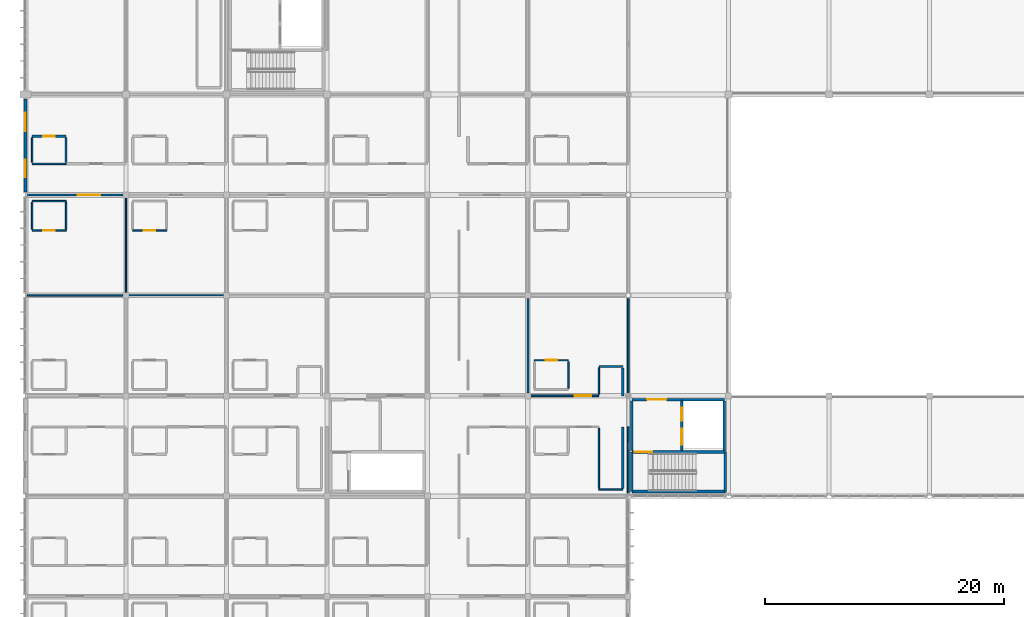
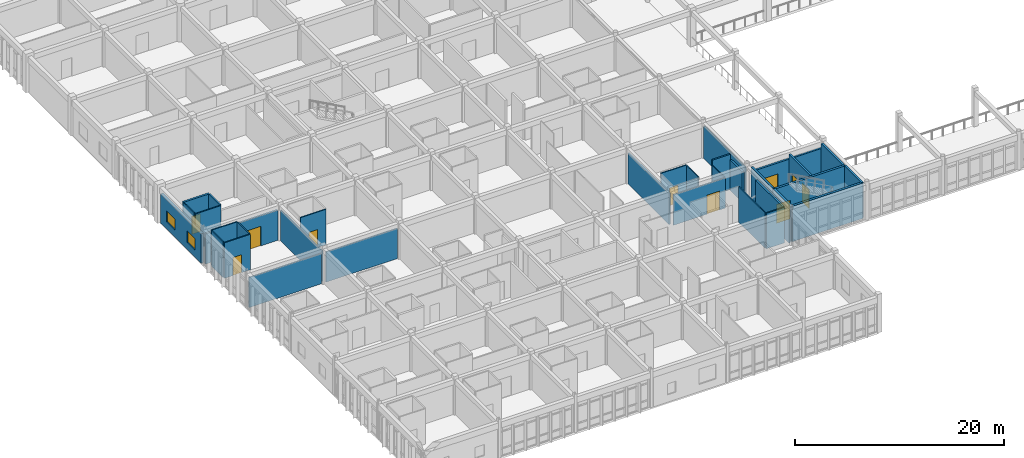
# One storey, part 99 of 144: 35 walls, 10 doors, 2 windows, 12 openings.
"""IFC4 building model written with IfcOpenShell, lengths in metres."""

from ifc_helpers import new_model, si_unit, direction, frame, frame_2d, origin, place, context, subcontext, project, spatial, rectangle, extrude, material, layer, layer_set, type_object, element, fill, save


model = new_model("IFC4")

# Units and contexts
model_context = context("Model", 3, precision=1e-05, world=origin(), true_north=direction((0.0, 1.0)))
body_context = subcontext(model_context, "Body", "Model", "MODEL_VIEW")
ifc_project = project(units=[si_unit("LENGTHUNIT", "METRE"), si_unit("AREAUNIT", "SQUARE_METRE"), si_unit("VOLUMEUNIT", "CUBIC_METRE"), si_unit("PLANEANGLEUNIT", "RADIAN"), si_unit("MASSUNIT", "GRAM", prefix="KILO")], contexts=[model_context])

# Site, building, storey
site_placement = place(None, origin())
site = spatial("IfcSite", under=ifc_project, at=site_placement, CompositionType="ELEMENT")
building_placement = place(site_placement, origin())
building = spatial("IfcBuilding", under=site, at=building_placement, Name="Bramfleet General Hospital", CompositionType="ELEMENT")
storey_placement = place(building_placement, frame((0.0, 0.0, 4.800048828125)))
storey = spatial("IfcBuildingStorey", under=building, at=storey_placement, Name="L01", CompositionType="ELEMENT", Elevation=4.800048828125)

# Wall, openings, windows
ifc_material_1 = material(Name="Precast concrete C40/50", Category="concrete")
ifc_layer_1 = layer(ifc_material_1, 0.280029296875, Name="WT-EW-06")
ifc_layer_set_1 = layer_set([ifc_layer_1], Name="Precast concrete C40/50")
wall_type_1 = type_object("IfcWallType", Name="WT-EW-06", PredefinedType="SOLIDWALL", material=ifc_layer_set_1)
wall_1_placement = place(storey_placement, frame((0.0, 42.2548828125, 0.0), z_axis=(0.0, 0.0, 1.0), x_axis=(0.0, 1.0, 0.0)))
wall_1 = element("IfcWall", 1, at=wall_1_placement, inside=storey, type_object=wall_type_1, Name="L01 Exterior Wall 193", PredefinedType="SOLIDWALL", context=body_context, shape_type="SweptSolid", body=[
    extrude(rectangle(XDim=7.77001953125, YDim=0.280029296875, at=frame_2d((3.885009765625, 0.0))), origin(), (0.0, 0.0, 1.0), 3.43994140625),
])
opening_1_placement = place(wall_1_placement, frame((1.217529296875, 0.0, 0.85009765625)))
opening_1 = element("IfcOpeningElement", 2, at=opening_1_placement, cuts=wall_1, Name="Opening W-06", PredefinedType="OPENING", context=body_context, shape_type="SweptSolid", body=[
    extrude(rectangle(XDim=1.449951171875, YDim=1.300048828125, at=frame_2d((0.72509765625, 0.64990234375))), frame((0.0, 0.14990234375, 0.0), z_axis=(0.0, -1.0, 0.0), x_axis=(1.0, 0.0, 0.0)), (0.0, 0.0, 1.0), 0.300048828125),
])
opening_2_placement = place(wall_1_placement, frame((5.052490234375, 0.0, 0.85009765625)))
opening_2 = element("IfcOpeningElement", 3, at=opening_2_placement, cuts=wall_1, Name="Opening W-07", PredefinedType="OPENING", context=body_context, shape_type="SweptSolid", body=[
    extrude(rectangle(XDim=1.550048828125, YDim=1.300048828125, at=frame_2d((0.77490234375, 0.64990234375))), frame((0.0, 0.14990234375, 0.0), z_axis=(0.0, -1.0, 0.0), x_axis=(1.0, 0.0, 0.0)), (0.0, 0.0, 1.0), 0.300048828125),
])
ifc_material_2 = material(Name="Anodised aluminium and low-E triple glazing", Category="aluminium")
window_type_1 = type_object("IfcWindowType", Name="WIN-W-06", PartitioningType="SINGLE_PANEL", PredefinedType="WINDOW", material=ifc_material_2)
window_1_placement = place(opening_1_placement, origin())
window_1 = element("IfcWindow", 4, at=window_1_placement, inside=storey, type_object=window_type_1, Name="L01 Facade Window WIN-L01-193-1", OverallHeight=1.300048828125, OverallWidth=1.449951171875, PartitioningType="SINGLE_PANEL", PredefinedType="WINDOW", context=body_context, shape_type="SweptSolid", body=[
    extrude(rectangle(XDim=1.449951171875, YDim=1.300048828125, at=frame_2d((0.72509765625, 0.64990234375))), frame((0.0, 0.030029296875, 0.0), z_axis=(0.0, -1.0, 0.0), x_axis=(1.0, 0.0, 0.0)), (0.0, 0.0, 1.0), 0.06005859375),
])
fill(opening_1, window_1)
window_type_2 = type_object("IfcWindowType", Name="WIN-W-07", PartitioningType="SINGLE_PANEL", PredefinedType="WINDOW", material=ifc_material_2)
window_2_placement = place(opening_2_placement, origin())
window_2 = element("IfcWindow", 5, at=window_2_placement, inside=storey, type_object=window_type_2, Name="L01 Facade Window WIN-L01-193-2", OverallHeight=1.300048828125, OverallWidth=1.550048828125, PartitioningType="SINGLE_PANEL", PredefinedType="WINDOW", context=body_context, shape_type="SweptSolid", body=[
    extrude(rectangle(XDim=1.550048828125, YDim=1.300048828125, at=frame_2d((0.77490234375, 0.64990234375))), frame((0.0, 0.030029296875, 0.0), z_axis=(0.0, -1.0, 0.0), x_axis=(1.0, 0.0, 0.0)), (0.0, 0.0, 1.0), 0.06005859375),
])
fill(opening_2, window_2)

# Wall, opening, door
ifc_material_3 = material(Name="Concrete C35/45", Category="concrete")
ifc_layer_2 = layer(ifc_material_3, 0.219970703125, Name="WT-IW-01")
ifc_layer_set_2 = layer_set([ifc_layer_2], Name="Concrete C35/45")
wall_type_2 = type_object("IfcWallType", Name="WT-IW-01", PredefinedType="PARTITIONING", material=ifc_layer_set_2)
wall_2_placement = place(storey_placement, frame((0.550048828125, 46.89990234375, 0.0), z_axis=(0.0, 0.0, 1.0), x_axis=(1.0, 0.0, 0.0)))
wall_2 = element("IfcWall", 6, at=wall_2_placement, inside=storey, type_object=wall_type_2, Name="L01 Interior Partition IW-L01-1369", PredefinedType="PARTITIONING", context=body_context, shape_type="SweptSolid", body=[
    extrude(rectangle(XDim=2.849853515625, YDim=0.219970703125, at=frame_2d((1.4248046875, 0.0))), origin(), (0.0, 0.0, 1.0), 4.139892578125),
])
opening_3_placement = place(wall_2_placement, frame((0.949951171875, 0.0, 0.0)))
opening_3 = element("IfcOpeningElement", 7, at=opening_3_placement, cuts=wall_2, Name="Opening D0617", PredefinedType="OPENING", context=body_context, shape_type="SweptSolid", body=[
    extrude(rectangle(XDim=0.949951171875, YDim=2.10009765625, at=frame_2d((0.47509765625, 1.050048828125))), frame((0.0, 0.119873046875, 0.0), z_axis=(0.0, -1.0, 0.0), x_axis=(1.0, 0.0, 0.0)), (0.0, 0.0, 1.0), 0.239990234375),
])
ifc_material_4 = material(Name="Stainless steel and acoustic timber leaf", Category="steel")
door_type_1 = type_object("IfcDoorType", Name="DR-D-10", OperationType="NOTDEFINED", PredefinedType="DOOR", material=ifc_material_4)
door_1_placement = place(opening_3_placement, origin())
door_1 = element("IfcDoor", 8, at=door_1_placement, inside=storey, type_object=door_type_1, Name="Observation En-Suite Bathroom L01-0005 Door D0617", OperationType="SINGLE_SWING_LEFT", OverallHeight=2.10009765625, OverallWidth=0.949951171875, PredefinedType="DOOR", context=body_context, shape_type="SweptSolid", body=[
    extrude(rectangle(XDim=0.949951171875, YDim=2.10009765625, at=frame_2d((0.47509765625, 1.050048828125))), frame((0.0, 0.02490234375, 0.0), z_axis=(0.0, -1.0, 0.0), x_axis=(1.0, 0.0, 0.0)), (0.0, 0.0, 1.0), 0.050048828125),
])
fill(opening_3, door_1)

# Wall, openings, doors
ifc_layer_3 = layer(ifc_material_3, 0.205078125, Name="WT-IW-02")
ifc_layer_set_3 = layer_set([ifc_layer_3], Name="Concrete C35/45")
wall_type_3 = type_object("IfcWallType", Name="WT-IW-02", PredefinedType="PARTITIONING", material=ifc_layer_set_3)
wall_3_placement = place(storey_placement, frame((54.8798828125, 20.639892578125, 0.0), z_axis=(0.0, 0.0, 1.0), x_axis=(0.0, 1.0, 0.0)))
wall_3 = element("IfcWall", 9, at=wall_3_placement, inside=storey, type_object=wall_type_3, Name="L01 C1 Lobby East Shaft Wall", PredefinedType="PARTITIONING", context=body_context, shape_type="SweptSolid", body=[
    extrude(rectangle(XDim=4.1201171875, YDim=0.205078125, at=frame_2d((2.06005859375, 0.0))), origin(), (0.0, 0.0, 1.0), 4.139892578125),
])
opening_4_placement = place(wall_3_placement, frame((0.445068359375, 0.0, 0.0)))
opening_4 = element("IfcOpeningElement", 10, at=opening_4_placement, cuts=wall_3, Name="Opening LD-BL-02-L01", PredefinedType="OPENING", context=body_context, shape_type="SweptSolid", body=[
    extrude(rectangle(XDim=1.35009765625, YDim=2.199951171875, at=frame_2d((0.675048828125, 1.10009765625))), frame((0.0, 0.112548828125, 0.0), z_axis=(0.0, -1.0, 0.0), x_axis=(1.0, 0.0, 0.0)), (0.0, 0.0, 1.0), 0.22509765625),
])
opening_5_placement = place(wall_3_placement, frame((2.449951171875, 0.0, 0.0)))
opening_5 = element("IfcOpeningElement", 11, at=opening_5_placement, cuts=wall_3, Name="Opening LD-PL-01-L01", PredefinedType="OPENING", context=body_context, shape_type="SweptSolid", body=[
    extrude(rectangle(XDim=1.10009765625, YDim=2.14990234375, at=frame_2d((0.550048828125, 1.074951171875))), frame((0.0, 0.112548828125, 0.0), z_axis=(0.0, -1.0, 0.0), x_axis=(1.0, 0.0, 0.0)), (0.0, 0.0, 1.0), 0.22509765625),
])
ifc_material_5 = material(Name="Brushed stainless steel 1.4301", Category="steel")
door_type_2 = type_object("IfcDoorType", Name="DR-LD-01", OperationType="NOTDEFINED", PredefinedType="DOOR", material=ifc_material_5)
door_2_placement = place(opening_4_placement, origin())
door_2 = element("IfcDoor", 12, at=door_2_placement, inside=storey, type_object=door_type_2, Name="L01 Lift BL-02 Sliding Landing Door", OperationType="SLIDING_TO_LEFT", OverallHeight=2.199951171875, OverallWidth=1.35009765625, PredefinedType="DOOR", context=body_context, shape_type="SweptSolid", body=[
    extrude(rectangle(XDim=1.35009765625, YDim=2.199951171875, at=frame_2d((0.675048828125, 1.10009765625))), frame((0.0, 0.02490234375, 0.0), z_axis=(0.0, -1.0, 0.0), x_axis=(1.0, 0.0, 0.0)), (0.0, 0.0, 1.0), 0.050048828125),
])
fill(opening_4, door_2)
door_type_3 = type_object("IfcDoorType", Name="DR-LD-02", OperationType="NOTDEFINED", PredefinedType="DOOR", material=ifc_material_5)
door_3_placement = place(opening_5_placement, origin())
door_3 = element("IfcDoor", 13, at=door_3_placement, inside=storey, type_object=door_type_3, Name="L01 Lift PL-01 Sliding Landing Door", OperationType="SLIDING_TO_LEFT", OverallHeight=2.14990234375, OverallWidth=1.10009765625, PredefinedType="DOOR", context=body_context, shape_type="SweptSolid", body=[
    extrude(rectangle(XDim=1.10009765625, YDim=2.14990234375, at=frame_2d((0.550048828125, 1.074951171875))), frame((0.0, 0.02490234375, 0.0), z_axis=(0.0, -1.0, 0.0), x_axis=(1.0, 0.0, 0.0)), (0.0, 0.0, 1.0), 0.050048828125),
])
fill(opening_5, door_3)

# Walls
wall_4_placement = place(storey_placement, frame((58.449951171875, 20.639892578125, 0.0), z_axis=(0.0, 0.0, 1.0), x_axis=(0.0, 1.0, 0.0)))
element("IfcWall", 14, at=wall_4_placement, inside=storey, type_object=wall_type_3, Name="L01 C1 Lift Shaft East Wall", PredefinedType="PARTITIONING", context=body_context, shape_type="SweptSolid", body=[
    extrude(rectangle(XDim=4.1201171875, YDim=0.205078125, at=frame_2d((2.06005859375, 0.0))), origin(), (0.0, 0.0, 1.0), 4.139892578125),
])
wall_5_placement = place(storey_placement, frame((54.8798828125, 24.8798828125, 0.0), z_axis=(0.0, 0.0, 1.0), x_axis=(1.0, 0.0, 0.0)))
element("IfcWall", 15, at=wall_5_placement, inside=storey, type_object=wall_type_3, Name="L01 C1 Lift Shaft North Wall", PredefinedType="PARTITIONING", context=body_context, shape_type="SweptSolid", body=[
    extrude(rectangle(XDim=3.570068359375, YDim=0.205078125, at=frame_2d((1.78515625, 0.0))), origin(), (0.0, 0.0, 1.0), 3.5400390625),
])
wall_6_placement = place(storey_placement, frame((50.699951171875, 20.639892578125, 0.0), z_axis=(0.0, 0.0, 1.0), x_axis=(0.0, 1.0, 0.0)))
element("IfcWall", 16, at=wall_6_placement, inside=storey, type_object=wall_type_3, Name="L01 C1 Lobby West Compartment Wall", PredefinedType="PARTITIONING", context=body_context, shape_type="SweptSolid", body=[
    extrude(rectangle(XDim=4.1201171875, YDim=0.205078125, at=frame_2d((2.06005859375, 0.0))), origin(), (0.0, 0.0, 1.0), 4.139892578125),
])

# Wall, opening, door
wall_7_placement = place(storey_placement, frame((50.699951171875, 24.8798828125, 0.0), z_axis=(0.0, 0.0, 1.0), x_axis=(1.0, 0.0, 0.0)))
wall_7 = element("IfcWall", 17, at=wall_7_placement, inside=storey, type_object=wall_type_3, Name="L01 C1 Lobby North Compartment Wall", PredefinedType="PARTITIONING", context=body_context, shape_type="SweptSolid", body=[
    extrude(rectangle(XDim=4.179931640625, YDim=0.205078125, at=frame_2d((2.08984375, 0.0))), origin(), (0.0, 0.0, 1.0), 3.5400390625),
])
opening_6_placement = place(wall_7_placement, frame((1.2900390625, 0.0, 0.0)))
opening_6 = element("IfcOpeningElement", 18, at=opening_6_placement, cuts=wall_7, Name="Opening D0006", PredefinedType="OPENING", context=body_context, shape_type="SweptSolid", body=[
    extrude(rectangle(XDim=1.60009765625, YDim=2.25, at=frame_2d((0.800048828125, 1.125))), frame((0.0, 0.112548828125, 0.0), z_axis=(0.0, -1.0, 0.0), x_axis=(1.0, 0.0, 0.0)), (0.0, 0.0, 1.0), 0.22509765625),
])
door_type_4 = type_object("IfcDoorType", Name="DR-D-04", OperationType="NOTDEFINED", PredefinedType="DOOR", material=ifc_material_4)
door_4_placement = place(opening_6_placement, origin())
door_4 = element("IfcDoor", 19, at=door_4_placement, inside=storey, type_object=door_type_4, Name="L01 C1 Lobby Fire Door D0006", OperationType="DOUBLE_SWING_LEFT", OverallHeight=2.25, OverallWidth=1.60009765625, PredefinedType="DOOR", context=body_context, shape_type="SweptSolid", body=[
    extrude(rectangle(XDim=1.60009765625, YDim=2.25, at=frame_2d((0.800048828125, 1.125))), frame((0.0, 0.02490234375, 0.0), z_axis=(0.0, -1.0, 0.0), x_axis=(1.0, 0.0, 0.0)), (0.0, 0.0, 1.0), 0.050048828125),
])
fill(opening_6, door_4)

# Walls
wall_8_placement = place(storey_placement, frame((49.949951171875, 17.465087890625, 0.0), z_axis=(0.0, 0.0, 1.0), x_axis=(0.0, 1.0, 0.0)))
element("IfcWall", 20, at=wall_8_placement, inside=storey, type_object=wall_type_3, Name="L01 Interior Partition IW-L01-1742", PredefinedType="PARTITIONING", context=body_context, shape_type="SweptSolid", body=[
    extrude(rectangle(XDim=5.135009765625, YDim=0.205078125, at=frame_2d((2.5673828125, 0.0))), origin(), (0.0, 0.0, 1.0), 4.139892578125),
])
ifc_layer_4 = layer(ifc_material_3, 0.18994140625, Name="WT-IW-03")
ifc_layer_set_4 = layer_set([ifc_layer_4], Name="Concrete C35/45")
wall_type_4 = type_object("IfcWallType", Name="WT-IW-03", PredefinedType="PARTITIONING", material=ifc_layer_set_4)
wall_9_placement = place(storey_placement, frame((49.949951171875, 25.199951171875, 0.0), z_axis=(0.0, 0.0, 1.0), x_axis=(0.0, 1.0, 0.0)))
element("IfcWall", 21, at=wall_9_placement, inside=storey, type_object=wall_type_4, Name="L01 Interior Partition IW-L01-1743", PredefinedType="PARTITIONING", context=body_context, shape_type="SweptSolid", body=[
    extrude(rectangle(XDim=2.3349609375, YDim=0.18994140625, at=frame_2d((1.16748046875, 0.0))), origin(), (0.0, 0.0, 1.0), 3.5400390625),
])

# Wall, opening, door
ifc_layer_5 = layer(ifc_material_3, 0.179931640625, Name="WT-IW-04")
ifc_layer_set_5 = layer_set([ifc_layer_5], Name="Concrete C35/45")
wall_type_5 = type_object("IfcWallType", Name="WT-IW-04", PredefinedType="PARTITIONING", material=ifc_layer_set_5)
wall_10_placement = place(storey_placement, frame((0.14501953125, 42.0, 0.0), z_axis=(0.0, 0.0, 1.0), x_axis=(1.0, 0.0, 0.0)))
wall_10 = element("IfcWall", 22, at=wall_10_placement, inside=storey, type_object=wall_type_5, Name="L01 Interior Partition IW-L01-1348", PredefinedType="PARTITIONING", context=body_context, shape_type="SweptSolid", body=[
    extrude(rectangle(XDim=8.010009765625, YDim=0.179931640625, at=frame_2d((4.0048828125, 0.0))), origin(), (0.0, 0.0, 1.0), 3.5400390625),
])
opening_7_placement = place(wall_10_placement, frame((4.220458984375, 0.0, 0.0)))
opening_7 = element("IfcOpeningElement", 23, at=opening_7_placement, cuts=wall_10, Name="Opening D0614", PredefinedType="OPENING", context=body_context, shape_type="SweptSolid", body=[
    extrude(rectangle(XDim=1.89990234375, YDim=2.300048828125, at=frame_2d((0.949951171875, 1.14990234375))), frame((0.0, 0.099853515625, 0.0), z_axis=(0.0, -1.0, 0.0), x_axis=(1.0, 0.0, 0.0)), (0.0, 0.0, 1.0), 0.199951171875),
])
door_type_5 = type_object("IfcDoorType", Name="DR-D-06", OperationType="NOTDEFINED", PredefinedType="DOOR", material=ifc_material_4)
door_5_placement = place(opening_7_placement, origin())
door_5 = element("IfcDoor", 24, at=door_5_placement, inside=storey, type_object=door_type_5, Name="Emergency Observation Ward Room L01-0004 Door D0614", OperationType="DOUBLE_SWING_LEFT", OverallHeight=2.300048828125, OverallWidth=1.89990234375, PredefinedType="DOOR", context=body_context, shape_type="SweptSolid", body=[
    extrude(rectangle(XDim=1.89990234375, YDim=2.300048828125, at=frame_2d((0.949951171875, 1.14990234375))), frame((0.0, 0.02490234375, 0.0), z_axis=(0.0, -1.0, 0.0), x_axis=(1.0, 0.0, 0.0)), (0.0, 0.0, 1.0), 0.050048828125),
])
fill(opening_7, door_5)

# Walls
ifc_material_6 = material(Name="Gypsum plasterboard on acoustic steel studs", Category="steel")
ifc_layer_6 = layer(ifc_material_6, 0.169921875, Name="WT-IW-05")
ifc_layer_set_6 = layer_set([ifc_layer_6], Name="Gypsum plasterboard on acoustic steel studs")
wall_type_6 = type_object("IfcWallType", Name="WT-IW-05", PredefinedType="PARTITIONING", material=ifc_layer_set_6)
wall_11_placement = place(storey_placement, frame((47.949951171875, 27.64990234375, 0.0), z_axis=(0.0, 0.0, 1.0), x_axis=(1.0, 0.0, 0.0)))
element("IfcWall", 25, at=wall_11_placement, inside=storey, type_object=wall_type_6, Name="L01 Interior Partition IW-L01-1325", PredefinedType="PARTITIONING", context=body_context, shape_type="SweptSolid", body=[
    extrude(rectangle(XDim=2.0, YDim=0.169921875, at=frame_2d((1.0, 0.0))), origin(), (0.0, 0.0, 1.0), 4.139892578125),
])
wall_12_placement = place(storey_placement, frame((3.39990234375, 44.715087890625, 0.0), z_axis=(0.0, 0.0, 1.0), x_axis=(0.0, 1.0, 0.0)))
element("IfcWall", 26, at=wall_12_placement, inside=storey, type_object=wall_type_6, Name="L01 Interior Partition IW-L01-1589", PredefinedType="PARTITIONING", context=body_context, shape_type="SweptSolid", body=[
    extrude(rectangle(XDim=2.06982421875, YDim=0.169921875, at=frame_2d((1.034912109375, 0.0))), origin(), (0.0, 0.0, 1.0), 4.139892578125),
])
wall_13_placement = place(storey_placement, frame((42.0, 25.445068359375, 0.0), z_axis=(0.0, 0.0, 1.0), x_axis=(0.0, 1.0, 0.0)))
element("IfcWall", 27, at=wall_13_placement, inside=storey, type_object=wall_type_6, Name="L01 Interior Partition IW-L01-1709", PredefinedType="PARTITIONING", context=body_context, shape_type="SweptSolid", body=[
    extrude(rectangle(XDim=7.909912109375, YDim=0.169921875, at=frame_2d((3.955078125, 0.0))), origin(), (0.0, 0.0, 1.0), 3.58984375),
])
ifc_layer_7 = layer(ifc_material_6, 0.159912109375, Name="WT-IW-06")
ifc_layer_set_7 = layer_set([ifc_layer_7], Name="Gypsum plasterboard on acoustic steel studs")
wall_type_7 = type_object("IfcWallType", Name="WT-IW-06", PredefinedType="PARTITIONING", material=ifc_layer_set_7)
wall_14_placement = place(storey_placement, frame((50.39990234375, 17.0234375, 0.0), z_axis=(0.0, 0.0, 1.0), x_axis=(0.0, 1.0, 0.0)))
element("IfcWall", 28, at=wall_14_placement, inside=storey, type_object=wall_type_7, Name="L01 Interior Partition IW-L01-1746", PredefinedType="PARTITIONING", context=body_context, shape_type="SweptSolid", body=[
    extrude(rectangle(XDim=5.57666015625, YDim=0.159912109375, at=frame_2d((2.788330078125, 0.0))), origin(), (0.0, 0.0, 1.0), 3.739990234375),
])
ifc_layer_8 = layer(ifc_material_6, 0.14990234375, Name="WT-IW-07")
ifc_layer_set_8 = layer_set([ifc_layer_8], Name="Gypsum plasterboard on acoustic steel studs")
wall_type_8 = type_object("IfcWallType", Name="WT-IW-07", PredefinedType="PARTITIONING", material=ifc_layer_set_8)
wall_15_placement = place(storey_placement, frame((50.39990234375, 25.423583984375, 0.0), z_axis=(0.0, 0.0, 1.0), x_axis=(0.0, 1.0, 0.0)))
element("IfcWall", 29, at=wall_15_placement, inside=storey, type_object=wall_type_8, Name="L01 Interior Partition IW-L01-1747", PredefinedType="PARTITIONING", context=body_context, shape_type="SweptSolid", body=[
    extrude(rectangle(XDim=7.952880859375, YDim=0.14990234375, at=frame_2d((3.9765625, 0.0))), origin(), (0.0, 0.0, 1.0), 3.739990234375),
])
ifc_layer_9 = layer(ifc_material_6, 0.139892578125, Name="WT-IW-08")
ifc_layer_set_9 = layer_set([ifc_layer_9], Name="Gypsum plasterboard on acoustic steel studs")
wall_type_9 = type_object("IfcWallType", Name="WT-IW-08", PredefinedType="PARTITIONING", material=ifc_layer_set_9)
wall_16_placement = place(storey_placement, frame((47.949951171875, 17.35009765625, 0.0), z_axis=(0.0, 0.0, 1.0), x_axis=(1.0, 0.0, 0.0)))
element("IfcWall", 30, at=wall_16_placement, inside=storey, type_object=wall_type_9, Name="L01 Interior Partition IW-L01-1280", PredefinedType="PARTITIONING", context=body_context, shape_type="SweptSolid", body=[
    extrude(rectangle(XDim=2.0, YDim=0.139892578125, at=frame_2d((1.0, 0.0))), origin(), (0.0, 0.0, 1.0), 4.139892578125),
])

# Wall, opening, door
wall_17_placement = place(storey_placement, frame((42.2451171875, 25.199951171875, 0.0), z_axis=(0.0, 0.0, 1.0), x_axis=(1.0, 0.0, 0.0)))
wall_17 = element("IfcWall", 31, at=wall_17_placement, inside=storey, type_object=wall_type_9, Name="L01 Interior Partition IW-L01-1316", PredefinedType="PARTITIONING", context=body_context, shape_type="SweptSolid", body=[
    extrude(rectangle(XDim=5.704833984375, YDim=0.139892578125, at=frame_2d((2.8525390625, 0.0))), origin(), (0.0, 0.0, 1.0), 3.5400390625),
])
opening_8_placement = place(wall_17_placement, frame((3.692626953125, 0.0, 0.0)))
opening_8 = element("IfcOpeningElement", 32, at=opening_8_placement, cuts=wall_17, Name="Opening D0702", PredefinedType="OPENING", context=body_context, shape_type="SweptSolid", body=[
    extrude(rectangle(XDim=1.3798828125, YDim=2.219970703125, at=frame_2d((0.68994140625, 1.10986328125))), frame((0.0, 0.079833984375, 0.0), z_axis=(0.0, -1.0, 0.0), x_axis=(1.0, 0.0, 0.0)), (0.0, 0.0, 1.0), 0.159912109375),
])
door_type_6 = type_object("IfcDoorType", Name="DR-D-30", OperationType="NOTDEFINED", PredefinedType="DOOR", material=ifc_material_4)
door_6_placement = place(opening_8_placement, origin())
door_6 = element("IfcDoor", 33, at=door_6_placement, inside=storey, type_object=door_type_6, Name="Emergency Observation Ward Room L01-0503 Door D0702", OperationType="SINGLE_SWING_LEFT", OverallHeight=2.219970703125, OverallWidth=1.3798828125, PredefinedType="DOOR", context=body_context, shape_type="SweptSolid", body=[
    extrude(rectangle(XDim=1.3798828125, YDim=2.219970703125, at=frame_2d((0.68994140625, 1.10986328125))), frame((0.0, 0.02490234375, 0.0), z_axis=(0.0, -1.0, 0.0), x_axis=(1.0, 0.0, 0.0)), (0.0, 0.0, 1.0), 0.050048828125),
])
fill(opening_8, door_6)

ifc_layer_10 = layer(ifc_material_6, 0.1201171875, Name="WT-IW-10")
ifc_layer_set_10 = layer_set([ifc_layer_10], Name="Gypsum plasterboard on acoustic steel studs")
wall_type_10 = type_object("IfcWallType", Name="WT-IW-10", PredefinedType="PARTITIONING", material=ifc_layer_set_10)
wall_18_placement = place(storey_placement, frame((42.550048828125, 28.169921875, 0.0), z_axis=(0.0, 0.0, 1.0), x_axis=(1.0, 0.0, 0.0)))
wall_18 = element("IfcWall", 34, at=wall_18_placement, inside=storey, type_object=wall_type_10, Name="L01 Interior Partition IW-L01-1329", PredefinedType="PARTITIONING", context=body_context, shape_type="SweptSolid", body=[
    extrude(rectangle(XDim=2.849853515625, YDim=0.1201171875, at=frame_2d((1.4248046875, 0.0))), origin(), (0.0, 0.0, 1.0), 4.139892578125),
])
opening_9_placement = place(wall_18_placement, frame((0.949951171875, 0.0, 0.0)))
opening_9 = element("IfcOpeningElement", 35, at=opening_9_placement, cuts=wall_18, Name="Opening D0703", PredefinedType="OPENING", context=body_context, shape_type="SweptSolid", body=[
    extrude(rectangle(XDim=0.949951171875, YDim=2.10009765625, at=frame_2d((0.47509765625, 1.050048828125))), frame((0.0, 0.070068359375, 0.0), z_axis=(0.0, -1.0, 0.0), x_axis=(1.0, 0.0, 0.0)), (0.0, 0.0, 1.0), 0.14013671875),
])
door_7_placement = place(opening_9_placement, origin())
door_7 = element("IfcDoor", 36, at=door_7_placement, inside=storey, type_object=door_type_1, Name="Observation En-Suite Bathroom L01-0503 Door D0703", OperationType="SINGLE_SWING_LEFT", OverallHeight=2.10009765625, OverallWidth=0.949951171875, PredefinedType="DOOR", context=body_context, shape_type="SweptSolid", body=[
    extrude(rectangle(XDim=0.949951171875, YDim=2.10009765625, at=frame_2d((0.47509765625, 1.050048828125))), frame((0.0, 0.02490234375, 0.0), z_axis=(0.0, -1.0, 0.0), x_axis=(1.0, 0.0, 0.0)), (0.0, 0.0, 1.0), 0.050048828125),
])
fill(opening_9, door_7)

# Wall
wall_19_placement = place(storey_placement, frame((0.14501953125, 33.60009765625, 0.0), z_axis=(0.0, 0.0, 1.0), x_axis=(1.0, 0.0, 0.0)))
element("IfcWall", 37, at=wall_19_placement, inside=storey, type_object=wall_type_10, Name="L01 Interior Partition IW-L01-1330", PredefinedType="PARTITIONING", context=body_context, shape_type="SweptSolid", body=[
    extrude(rectangle(XDim=8.010009765625, YDim=0.1201171875, at=frame_2d((4.0048828125, 0.0))), origin(), (0.0, 0.0, 1.0), 3.5400390625),
])

# Wall, opening, door
wall_20_placement = place(storey_placement, frame((0.550048828125, 39.030029296875, 0.0), z_axis=(0.0, 0.0, 1.0), x_axis=(1.0, 0.0, 0.0)))
wall_20 = element("IfcWall", 38, at=wall_20_placement, inside=storey, type_object=wall_type_10, Name="L01 Interior Partition IW-L01-1338", PredefinedType="PARTITIONING", context=body_context, shape_type="SweptSolid", body=[
    extrude(rectangle(XDim=2.849853515625, YDim=0.1201171875, at=frame_2d((1.4248046875, 0.0))), origin(), (0.0, 0.0, 1.0), 4.139892578125),
])
opening_10_placement = place(wall_20_placement, frame((0.949951171875, 0.0, 0.0)))
opening_10 = element("IfcOpeningElement", 39, at=opening_10_placement, cuts=wall_20, Name="Opening D0615", PredefinedType="OPENING", context=body_context, shape_type="SweptSolid", body=[
    extrude(rectangle(XDim=0.949951171875, YDim=2.10009765625, at=frame_2d((0.47509765625, 1.050048828125))), frame((0.0, 0.070068359375, 0.0), z_axis=(0.0, -1.0, 0.0), x_axis=(1.0, 0.0, 0.0)), (0.0, 0.0, 1.0), 0.14013671875),
])
door_8_placement = place(opening_10_placement, origin())
door_8 = element("IfcDoor", 40, at=door_8_placement, inside=storey, type_object=door_type_1, Name="Observation En-Suite Bathroom L01-0004 Door D0615", OperationType="SINGLE_SWING_LEFT", OverallHeight=2.10009765625, OverallWidth=0.949951171875, PredefinedType="DOOR", context=body_context, shape_type="SweptSolid", body=[
    extrude(rectangle(XDim=0.949951171875, YDim=2.10009765625, at=frame_2d((0.47509765625, 1.050048828125))), frame((0.0, 0.02490234375, 0.0), z_axis=(0.0, -1.0, 0.0), x_axis=(1.0, 0.0, 0.0)), (0.0, 0.0, 1.0), 0.050048828125),
])
fill(opening_10, door_8)

wall_21_placement = place(storey_placement, frame((8.949951171875, 39.030029296875, 0.0), z_axis=(0.0, 0.0, 1.0), x_axis=(1.0, 0.0, 0.0)))
wall_21 = element("IfcWall", 41, at=wall_21_placement, inside=storey, type_object=wall_type_10, Name="L01 Interior Partition IW-L01-1339", PredefinedType="PARTITIONING", context=body_context, shape_type="SweptSolid", body=[
    extrude(rectangle(XDim=2.85009765625, YDim=0.1201171875, at=frame_2d((1.425048828125, 0.0))), origin(), (0.0, 0.0, 1.0), 4.139892578125),
])
opening_11_placement = place(wall_21_placement, frame((0.949951171875, 0.0, 0.0)))
opening_11 = element("IfcOpeningElement", 42, at=opening_11_placement, cuts=wall_21, Name="Opening D0635", PredefinedType="OPENING", context=body_context, shape_type="SweptSolid", body=[
    extrude(rectangle(XDim=0.949951171875, YDim=2.10009765625, at=frame_2d((0.47509765625, 1.050048828125))), frame((0.0, 0.070068359375, 0.0), z_axis=(0.0, -1.0, 0.0), x_axis=(1.0, 0.0, 0.0)), (0.0, 0.0, 1.0), 0.14013671875),
])
door_9_placement = place(opening_11_placement, origin())
door_9 = element("IfcDoor", 43, at=door_9_placement, inside=storey, type_object=door_type_1, Name="Observation En-Suite Bathroom L01-0104 Door D0635", OperationType="SINGLE_SWING_LEFT", OverallHeight=2.10009765625, OverallWidth=0.949951171875, PredefinedType="DOOR", context=body_context, shape_type="SweptSolid", body=[
    extrude(rectangle(XDim=0.949951171875, YDim=2.10009765625, at=frame_2d((0.47509765625, 1.050048828125))), frame((0.0, 0.02490234375, 0.0), z_axis=(0.0, -1.0, 0.0), x_axis=(1.0, 0.0, 0.0)), (0.0, 0.0, 1.0), 0.050048828125),
])
fill(opening_11, door_9)

# Walls
for number, where, z_axis, x_axis, name in (
    (44, (0.550048828125, 41.47998046875, 0.0), (0.0, 0.0, 1.0), (1.0, 0.0, 0.0), "L01 Interior Partition IW-L01-1343"),
    (45, (0.550048828125, 44.60009765625, 0.0), (0.0, 0.0, 1.0), (1.0, 0.0, 0.0), "L01 Interior Partition IW-L01-1356"),
):
    element("IfcWall", number, at=place(storey_placement, frame(where, z_axis=z_axis, x_axis=x_axis)), inside=storey, type_object=wall_type_10, Name=name, PredefinedType="PARTITIONING", context=body_context, shape_type="SweptSolid", body=[
        extrude(rectangle(XDim=2.849853515625, YDim=0.1201171875, at=frame_2d((1.4248046875, 0.0))), origin(), (0.0, 0.0, 1.0), 4.139892578125),
    ])
for number, where, z_axis, x_axis, name in (
    (46, (0.550048828125, 39.14501953125, 0.0), (0.0, 0.0, 1.0), (0.0, 1.0, 0.0), "L01 Interior Partition IW-L01-1582"),
    (47, (3.39990234375, 39.14501953125, 0.0), (0.0, 0.0, 1.0), (0.0, 1.0, 0.0), "L01 Interior Partition IW-L01-1588"),
):
    element("IfcWall", number, at=place(storey_placement, frame(where, z_axis=z_axis, x_axis=x_axis)), inside=storey, type_object=wall_type_10, Name=name, PredefinedType="PARTITIONING", context=body_context, shape_type="SweptSolid", body=[
        extrude(rectangle(XDim=2.219970703125, YDim=0.1201171875, at=frame_2d((1.10986328125, 0.0))), origin(), (0.0, 0.0, 1.0), 4.139892578125),
    ])
wall_22_placement = place(storey_placement, frame((8.39990234375, 33.844970703125, 0.0), z_axis=(0.0, 0.0, 1.0), x_axis=(0.0, 1.0, 0.0)))
element("IfcWall", 48, at=wall_22_placement, inside=storey, type_object=wall_type_10, Name="L01 Interior Partition IW-L01-1594", PredefinedType="PARTITIONING", context=body_context, shape_type="SweptSolid", body=[
    extrude(rectangle(XDim=7.909912109375, YDim=0.1201171875, at=frame_2d((3.955078125, 0.0))), origin(), (0.0, 0.0, 1.0), 3.58984375),
])
wall_23_placement = place(storey_placement, frame((45.39990234375, 25.8349609375, 0.0), z_axis=(0.0, 0.0, 1.0), x_axis=(0.0, 1.0, 0.0)))
element("IfcWall", 49, at=wall_23_placement, inside=storey, type_object=wall_type_10, Name="L01 Interior Partition IW-L01-1735", PredefinedType="PARTITIONING", context=body_context, shape_type="SweptSolid", body=[
    extrude(rectangle(XDim=2.219970703125, YDim=0.1201171875, at=frame_2d((1.10986328125, 0.0))), origin(), (0.0, 0.0, 1.0), 4.139892578125),
])
wall_24_placement = place(storey_placement, frame((47.949951171875, 17.465087890625, 0.0), z_axis=(0.0, 0.0, 1.0), x_axis=(0.0, 1.0, 0.0)))
element("IfcWall", 50, at=wall_24_placement, inside=storey, type_object=wall_type_10, Name="L01 Interior Partition IW-L01-1738", PredefinedType="PARTITIONING", context=body_context, shape_type="SweptSolid", body=[
    extrude(rectangle(XDim=5.02001953125, YDim=0.1201171875, at=frame_2d((2.510009765625, 0.0))), origin(), (0.0, 0.0, 1.0), 4.139892578125),
])
ifc_layer_11 = layer(ifc_material_6, 0.112060546875, Name="WT-IW-11")
ifc_layer_set_11 = layer_set([ifc_layer_11], Name="Gypsum plasterboard on acoustic steel studs")
wall_type_11 = type_object("IfcWallType", Name="WT-IW-11", PredefinedType="PARTITIONING", material=ifc_layer_set_11)
wall_25_placement = place(storey_placement, frame((8.64501953125, 33.60009765625, 0.0), z_axis=(0.0, 0.0, 1.0), x_axis=(1.0, 0.0, 0.0)))
element("IfcWall", 51, at=wall_25_placement, inside=storey, type_object=wall_type_11, Name="L01 Interior Partition IW-L01-1331", PredefinedType="PARTITIONING", context=body_context, shape_type="SweptSolid", body=[
    extrude(rectangle(XDim=7.909912109375, YDim=0.112060546875, at=frame_2d((3.955078125, 0.0))), origin(), (0.0, 0.0, 1.0), 3.5400390625),
])
wall_26_placement = place(storey_placement, frame((0.550048828125, 44.715087890625, 0.0), z_axis=(0.0, 0.0, 1.0), x_axis=(0.0, 1.0, 0.0)))
element("IfcWall", 52, at=wall_26_placement, inside=storey, type_object=wall_type_11, Name="L01 Interior Partition IW-L01-1583", PredefinedType="PARTITIONING", context=body_context, shape_type="SweptSolid", body=[
    extrude(rectangle(XDim=2.06982421875, YDim=0.112060546875, at=frame_2d((1.034912109375, 0.0))), origin(), (0.0, 0.0, 1.0), 4.139892578125),
])
wall_27_placement = place(storey_placement, frame((47.949951171875, 25.31494140625, 0.0), z_axis=(0.0, 0.0, 1.0), x_axis=(0.0, 1.0, 0.0)))
element("IfcWall", 53, at=wall_27_placement, inside=storey, type_object=wall_type_11, Name="L01 Interior Partition IW-L01-1739", PredefinedType="PARTITIONING", context=body_context, shape_type="SweptSolid", body=[
    extrude(rectangle(XDim=2.219970703125, YDim=0.112060546875, at=frame_2d((1.10986328125, 0.0))), origin(), (0.0, 0.0, 1.0), 3.5400390625),
])
ifc_material_7 = material(Name="Concrete C40/50", Category="concrete")
ifc_layer_12 = layer(ifc_material_7, 0.239990234375, Name="WT-SW-240")
ifc_layer_set_12 = layer_set([ifc_layer_12], Name="Concrete C40/50")
wall_type_12 = type_object("IfcWallType", Name="WT-SW-240", PredefinedType="SHEAR", material=ifc_layer_set_12)
wall_28_placement = place(storey_placement, frame((50.699951171875, 17.179931640625, 0.0), z_axis=(0.0, 0.0, 1.0), x_axis=(1.0, 0.0, 0.0)))
element("IfcWall", 54, at=wall_28_placement, inside=storey, type_object=wall_type_12, Name="L01 C1 South Stair Shear Wall", PredefinedType="SHEAR", context=body_context, shape_type="SweptSolid", body=[
    extrude(rectangle(XDim=7.820068359375, YDim=0.239990234375, at=frame_2d((3.91015625, 0.0))), origin(), (0.0, 0.0, 1.0), 4.14990234375),
])
for number, where, z_axis, x_axis, name in (
    (55, (50.699951171875, 17.179931640625, 0.0), (0.0, 0.0, 1.0), (0.0, 1.0, 0.0), "L01 C1 West Stair Shear Wall"),
    (56, (58.52001953125, 17.179931640625, 0.0), (0.0, 0.0, 1.0), (0.0, 1.0, 0.0), "L01 C1 East Stair Shear Wall"),
):
    element("IfcWall", number, at=place(storey_placement, frame(where, z_axis=z_axis, x_axis=x_axis)), inside=storey, type_object=wall_type_12, Name=name, PredefinedType="SHEAR", context=body_context, shape_type="SweptSolid", body=[
        extrude(rectangle(XDim=3.320068359375, YDim=0.239990234375, at=frame_2d((1.66015625, 0.0))), origin(), (0.0, 0.0, 1.0), 4.14990234375),
    ])

# Wall, opening, door
wall_29_placement = place(storey_placement, frame((50.699951171875, 20.5, 0.0), z_axis=(0.0, 0.0, 1.0), x_axis=(1.0, 0.0, 0.0)))
wall_29 = element("IfcWall", 57, at=wall_29_placement, inside=storey, type_object=wall_type_12, Name="L01 C1 Stair-Lobby Shear Wall", PredefinedType="SHEAR", context=body_context, shape_type="SweptSolid", body=[
    extrude(rectangle(XDim=7.820068359375, YDim=0.239990234375, at=frame_2d((3.91015625, 0.0))), origin(), (0.0, 0.0, 1.0), 4.14990234375),
])
opening_12_placement = place(wall_29_placement, frame((0.25, 0.0, 0.0)))
opening_12 = element("IfcOpeningElement", 58, at=opening_12_placement, cuts=wall_29, Name="Opening D0005", PredefinedType="OPENING", context=body_context, shape_type="SweptSolid", body=[
    extrude(rectangle(XDim=1.449951171875, YDim=2.199951171875, at=frame_2d((0.72509765625, 1.10009765625))), frame((0.0, 0.1298828125, 0.0), z_axis=(0.0, -1.0, 0.0), x_axis=(1.0, 0.0, 0.0)), (0.0, 0.0, 1.0), 0.260009765625),
])
door_type_7 = type_object("IfcDoorType", Name="DR-D-03", OperationType="NOTDEFINED", PredefinedType="DOOR", material=ifc_material_4)
door_10_placement = place(opening_12_placement, origin())
door_10 = element("IfcDoor", 59, at=door_10_placement, inside=storey, type_object=door_type_7, Name="L01 C1 Escape Stair Fire Door D0005", OperationType="SINGLE_SWING_RIGHT", OverallHeight=2.199951171875, OverallWidth=1.449951171875, PredefinedType="DOOR", context=body_context, shape_type="SweptSolid", body=[
    extrude(rectangle(XDim=1.449951171875, YDim=2.199951171875, at=frame_2d((0.72509765625, 1.10009765625))), frame((0.0, 0.02490234375, 0.0), z_axis=(0.0, -1.0, 0.0), x_axis=(1.0, 0.0, 0.0)), (0.0, 0.0, 1.0), 0.050048828125),
])
fill(opening_12, door_10)

save(model, "model.ifc")
